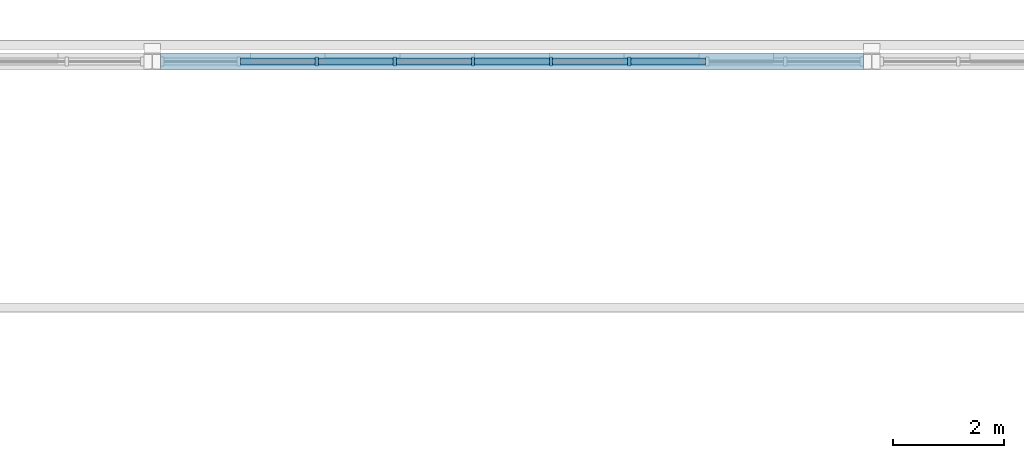
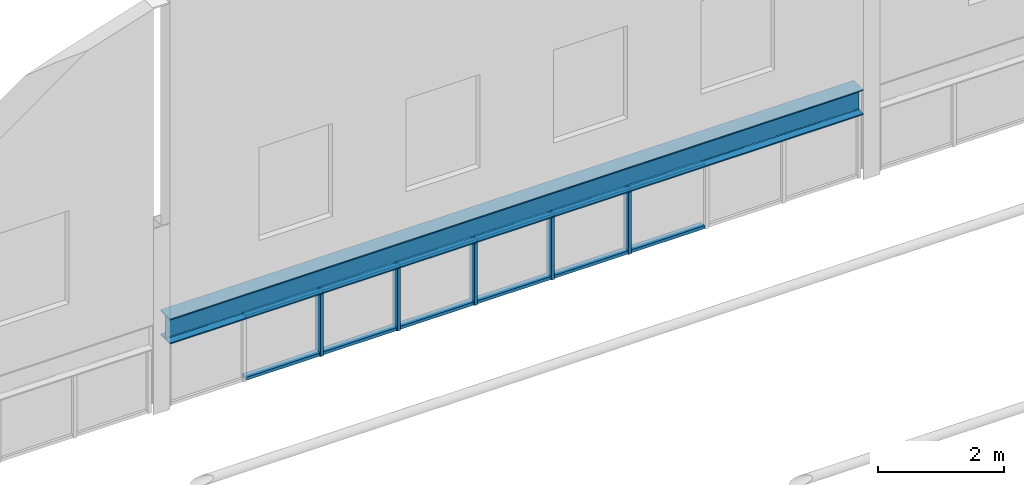
# One storey, part 16 of 65: 17 members, 1 beam, 1 element without a shape of its own.
"""IFC4 building model written with IfcOpenShell, lengths in metres."""

from ifc_helpers import new_model, si_unit, direction, frame, origin, origin_2d, place, context, subcontext, project, spatial, rectangle, i_section, extrude, material, material_profile, profile_set, type_object, element, aggregate, save


model = new_model("IFC4")

# Units and contexts
model_context = context("Model", 3, precision=1e-05, world=origin(), true_north=direction((0.0, 1.0)))
body_context = subcontext(model_context, "Body", "Model", "MODEL_VIEW")
ifc_project = project(units=[si_unit("LENGTHUNIT", "METRE"), si_unit("AREAUNIT", "SQUARE_METRE"), si_unit("VOLUMEUNIT", "CUBIC_METRE"), si_unit("PLANEANGLEUNIT", "RADIAN"), si_unit("MASSUNIT", "GRAM", prefix="KILO")], contexts=[model_context])

# Site, building, storey
site_placement = place(None, origin())
site = spatial("IfcSite", under=ifc_project, at=site_placement, CompositionType="ELEMENT")
building_placement = place(site_placement, origin())
building = spatial("IfcBuilding", under=site, at=building_placement, Name="Elbe Cascade School", CompositionType="ELEMENT")
storey_placement = place(building_placement, frame((0.0, 0.0, 11.699951171875)))
storey = spatial("IfcBuildingStorey", under=building, at=storey_placement, Name="L03", CompositionType="ELEMENT", Elevation=11.699951171875)

# Beam
ifc_material_1 = material(Name="Steel S355J2", Category="steel")
ifc_material_profile_1 = material_profile(ifc_material_1, i_section(OverallWidth=0.300048828125, OverallDepth=0.489990234375, WebThickness=0.011962890625, FlangeThickness=0.02294921875, FilletRadius=0.027099609375, at=origin_2d()), Name="HEA 500")
ifc_profile_set_1 = profile_set([ifc_material_profile_1], Name="Steel S355J2")
beam_type = type_object("IfcBeamType", Name="Hall gable beam HEA 500", PredefinedType="BEAM", material=ifc_profile_set_1)
beam_placement = place(storey_placement, frame((21.14990234375, 69.199951171875, 1.505126953125), z_axis=(1.0, 0.0, 0.0), x_axis=(0.0, 1.0, 0.0)))
element("IfcBeam", 1, at=beam_placement, inside=storey, type_object=beam_type, Name="Gable beam N2", PredefinedType="BEAM", context=body_context, shape_type="SweptSolid", body=[
    extrude(i_section(OverallWidth=0.300048828125, OverallDepth=0.489990234375, WebThickness=0.011962890625, FlangeThickness=0.02294921875, FilletRadius=0.027099609375, at=origin_2d()), origin(), (0.0, 0.0, 1.0), 12.7001953125),
])

# Curtain wall, members
ifc_material_2 = material(Name="Glass - double glazed low-E", Category="glass")
curtain_wall_type = type_object("IfcCurtainWallType", Name="Hall gable curtain wall", PredefinedType="NOTDEFINED", material=ifc_material_2)
curtain_wall_placement = place(storey_placement, origin())
curtain_wall = element("IfcCurtainWall", 2, at=curtain_wall_placement, inside=storey, type_object=curtain_wall_type, Name="Gable curtain wall N2", PredefinedType="NOTDEFINED")
ifc_material_3 = material(Name="Aluminium - bronze anodised", Category="aluminium")
ifc_material_profile_2 = material_profile(ifc_material_3, rectangle(XDim=0.159912109375, YDim=0.06005859375, at=origin_2d()), Name="Alu 60x160")
ifc_profile_set_2 = profile_set([ifc_material_profile_2], Name="Aluminium - bronze anodised")
member_type_1 = type_object("IfcMemberType", Name="Hall gable mullion 60x160", PredefinedType="MULLION", material=ifc_profile_set_2)
member_1_placement = place(storey_placement, frame((23.97216796875, 69.199951171875, 0.0), z_axis=(0.0, 0.0, 1.0), x_axis=(0.0, 1.0, 0.0)))
member_1 = element("IfcMember", 3, at=member_1_placement, type_object=member_type_1, Name="CW6 mullion 3", PredefinedType="MULLION", context=body_context, shape_type="SweptSolid", body=[
    extrude(rectangle(XDim=0.159912109375, YDim=0.06005859375, at=origin_2d()), origin(), (0.0, 0.0, 1.0), 1.260009765625),
])
member_2_placement = place(storey_placement, frame((25.38330078125, 69.199951171875, 0.0), z_axis=(0.0, 0.0, 1.0), x_axis=(0.0, 1.0, 0.0)))
member_2 = element("IfcMember", 4, at=member_2_placement, type_object=member_type_1, Name="CW6 mullion 4", PredefinedType="MULLION", context=body_context, shape_type="SweptSolid", body=[
    extrude(rectangle(XDim=0.159912109375, YDim=0.06005859375, at=origin_2d()), origin(), (0.0, 0.0, 1.0), 1.260009765625),
])
member_3_placement = place(storey_placement, frame((26.79443359375, 69.199951171875, 0.0), z_axis=(0.0, 0.0, 1.0), x_axis=(0.0, 1.0, 0.0)))
member_3 = element("IfcMember", 5, at=member_3_placement, type_object=member_type_1, Name="CW6 mullion 5", PredefinedType="MULLION", context=body_context, shape_type="SweptSolid", body=[
    extrude(rectangle(XDim=0.159912109375, YDim=0.06005859375, at=origin_2d()), origin(), (0.0, 0.0, 1.0), 1.260009765625),
])
member_4_placement = place(storey_placement, frame((28.20556640625, 69.199951171875, 0.0), z_axis=(0.0, 0.0, 1.0), x_axis=(0.0, 1.0, 0.0)))
member_4 = element("IfcMember", 6, at=member_4_placement, type_object=member_type_1, Name="CW6 mullion 6", PredefinedType="MULLION", context=body_context, shape_type="SweptSolid", body=[
    extrude(rectangle(XDim=0.159912109375, YDim=0.06005859375, at=origin_2d()), origin(), (0.0, 0.0, 1.0), 1.260009765625),
])
member_5_placement = place(storey_placement, frame((29.61669921875, 69.199951171875, 0.0), z_axis=(0.0, 0.0, 1.0), x_axis=(0.0, 1.0, 0.0)))
member_5 = element("IfcMember", 7, at=member_5_placement, type_object=member_type_1, Name="CW6 mullion 7", PredefinedType="MULLION", context=body_context, shape_type="SweptSolid", body=[
    extrude(rectangle(XDim=0.159912109375, YDim=0.06005859375, at=origin_2d()), origin(), (0.0, 0.0, 1.0), 1.260009765625),
])
ifc_material_4 = material(Name="Aluminium - bronze anodised", Category="aluminium")
ifc_material_profile_3 = material_profile(ifc_material_4, rectangle(XDim=0.1201171875, YDim=0.06005859375, at=origin_2d()), Name="Alu 60x120")
ifc_profile_set_3 = profile_set([ifc_material_profile_3], Name="Aluminium - bronze anodised")
member_type_2 = type_object("IfcMemberType", Name="Hall gable transom 60x120", PredefinedType="USERDEFINED", material=ifc_profile_set_3)
member_6_placement = place(storey_placement, frame((22.591064453125, 69.199951171875, 0.030029296875), z_axis=(1.0, 0.0, 0.0), x_axis=(0.0, 1.0, 0.0)))
member_6 = element("IfcMember", 8, at=member_6_placement, type_object=member_type_2, Name="CW6 transom 2.1", ObjectType="TRANSOM", PredefinedType="USERDEFINED", context=body_context, shape_type="SweptSolid", body=[
    extrude(rectangle(XDim=0.1201171875, YDim=0.06005859375, at=origin_2d()), origin(), (0.0, 0.0, 1.0), 1.35107421875),
])
member_7_placement = place(storey_placement, frame((22.591064453125, 69.199951171875, 1.22998046875), z_axis=(1.0, 0.0, 0.0), x_axis=(0.0, 1.0, 0.0)))
member_7 = element("IfcMember", 9, at=member_7_placement, type_object=member_type_2, Name="CW6 transom 2.2", ObjectType="TRANSOM", PredefinedType="USERDEFINED", context=body_context, shape_type="SweptSolid", body=[
    extrude(rectangle(XDim=0.1201171875, YDim=0.06005859375, at=origin_2d()), origin(), (0.0, 0.0, 1.0), 1.35107421875),
])
member_8_placement = place(storey_placement, frame((24.002197265625, 69.199951171875, 0.030029296875), z_axis=(1.0, 0.0, 0.0), x_axis=(0.0, 1.0, 0.0)))
member_8 = element("IfcMember", 10, at=member_8_placement, type_object=member_type_2, Name="CW6 transom 3.1", ObjectType="TRANSOM", PredefinedType="USERDEFINED", context=body_context, shape_type="SweptSolid", body=[
    extrude(rectangle(XDim=0.1201171875, YDim=0.06005859375, at=origin_2d()), origin(), (0.0, 0.0, 1.0), 1.35107421875),
])
member_9_placement = place(storey_placement, frame((24.002197265625, 69.199951171875, 1.22998046875), z_axis=(1.0, 0.0, 0.0), x_axis=(0.0, 1.0, 0.0)))
member_9 = element("IfcMember", 11, at=member_9_placement, type_object=member_type_2, Name="CW6 transom 3.2", ObjectType="TRANSOM", PredefinedType="USERDEFINED", context=body_context, shape_type="SweptSolid", body=[
    extrude(rectangle(XDim=0.1201171875, YDim=0.06005859375, at=origin_2d()), origin(), (0.0, 0.0, 1.0), 1.35107421875),
])
member_10_placement = place(storey_placement, frame((25.413330078125, 69.199951171875, 0.030029296875), z_axis=(1.0, 0.0, 0.0), x_axis=(0.0, 1.0, 0.0)))
member_10 = element("IfcMember", 12, at=member_10_placement, type_object=member_type_2, Name="CW6 transom 4.1", ObjectType="TRANSOM", PredefinedType="USERDEFINED", context=body_context, shape_type="SweptSolid", body=[
    extrude(rectangle(XDim=0.1201171875, YDim=0.06005859375, at=origin_2d()), origin(), (0.0, 0.0, 1.0), 1.35107421875),
])
member_11_placement = place(storey_placement, frame((25.413330078125, 69.199951171875, 1.22998046875), z_axis=(1.0, 0.0, 0.0), x_axis=(0.0, 1.0, 0.0)))
member_11 = element("IfcMember", 13, at=member_11_placement, type_object=member_type_2, Name="CW6 transom 4.2", ObjectType="TRANSOM", PredefinedType="USERDEFINED", context=body_context, shape_type="SweptSolid", body=[
    extrude(rectangle(XDim=0.1201171875, YDim=0.06005859375, at=origin_2d()), origin(), (0.0, 0.0, 1.0), 1.35107421875),
])
member_12_placement = place(storey_placement, frame((26.824462890625, 69.199951171875, 0.030029296875), z_axis=(1.0, 0.0, 0.0), x_axis=(0.0, 1.0, 0.0)))
member_12 = element("IfcMember", 14, at=member_12_placement, type_object=member_type_2, Name="CW6 transom 5.1", ObjectType="TRANSOM", PredefinedType="USERDEFINED", context=body_context, shape_type="SweptSolid", body=[
    extrude(rectangle(XDim=0.1201171875, YDim=0.06005859375, at=origin_2d()), origin(), (0.0, 0.0, 1.0), 1.35107421875),
])
member_13_placement = place(storey_placement, frame((26.824462890625, 69.199951171875, 1.22998046875), z_axis=(1.0, 0.0, 0.0), x_axis=(0.0, 1.0, 0.0)))
member_13 = element("IfcMember", 15, at=member_13_placement, type_object=member_type_2, Name="CW6 transom 5.2", ObjectType="TRANSOM", PredefinedType="USERDEFINED", context=body_context, shape_type="SweptSolid", body=[
    extrude(rectangle(XDim=0.1201171875, YDim=0.06005859375, at=origin_2d()), origin(), (0.0, 0.0, 1.0), 1.35107421875),
])
member_14_placement = place(storey_placement, frame((28.235595703125, 69.199951171875, 0.030029296875), z_axis=(1.0, 0.0, 0.0), x_axis=(0.0, 1.0, 0.0)))
member_14 = element("IfcMember", 16, at=member_14_placement, type_object=member_type_2, Name="CW6 transom 6.1", ObjectType="TRANSOM", PredefinedType="USERDEFINED", context=body_context, shape_type="SweptSolid", body=[
    extrude(rectangle(XDim=0.1201171875, YDim=0.06005859375, at=origin_2d()), origin(), (0.0, 0.0, 1.0), 1.35107421875),
])
member_15_placement = place(storey_placement, frame((28.235595703125, 69.199951171875, 1.22998046875), z_axis=(1.0, 0.0, 0.0), x_axis=(0.0, 1.0, 0.0)))
member_15 = element("IfcMember", 17, at=member_15_placement, type_object=member_type_2, Name="CW6 transom 6.2", ObjectType="TRANSOM", PredefinedType="USERDEFINED", context=body_context, shape_type="SweptSolid", body=[
    extrude(rectangle(XDim=0.1201171875, YDim=0.06005859375, at=origin_2d()), origin(), (0.0, 0.0, 1.0), 1.35107421875),
])
member_16_placement = place(storey_placement, frame((29.646728515625, 69.199951171875, 0.030029296875), z_axis=(1.0, 0.0, 0.0), x_axis=(0.0, 1.0, 0.0)))
member_16 = element("IfcMember", 18, at=member_16_placement, type_object=member_type_2, Name="CW6 transom 7.1", ObjectType="TRANSOM", PredefinedType="USERDEFINED", context=body_context, shape_type="SweptSolid", body=[
    extrude(rectangle(XDim=0.1201171875, YDim=0.06005859375, at=origin_2d()), origin(), (0.0, 0.0, 1.0), 1.35107421875),
])
member_17_placement = place(storey_placement, frame((29.646728515625, 69.199951171875, 1.22998046875), z_axis=(1.0, 0.0, 0.0), x_axis=(0.0, 1.0, 0.0)))
member_17 = element("IfcMember", 19, at=member_17_placement, type_object=member_type_2, Name="CW6 transom 7.2", ObjectType="TRANSOM", PredefinedType="USERDEFINED", context=body_context, shape_type="SweptSolid", body=[
    extrude(rectangle(XDim=0.1201171875, YDim=0.06005859375, at=origin_2d()), origin(), (0.0, 0.0, 1.0), 1.35107421875),
])
aggregate(curtain_wall, [member_1, member_2, member_3, member_4, member_5, member_6, member_7, member_8, member_9, member_10, member_11, member_12, member_13, member_14, member_15, member_16, member_17])

save(model, "model.ifc")
